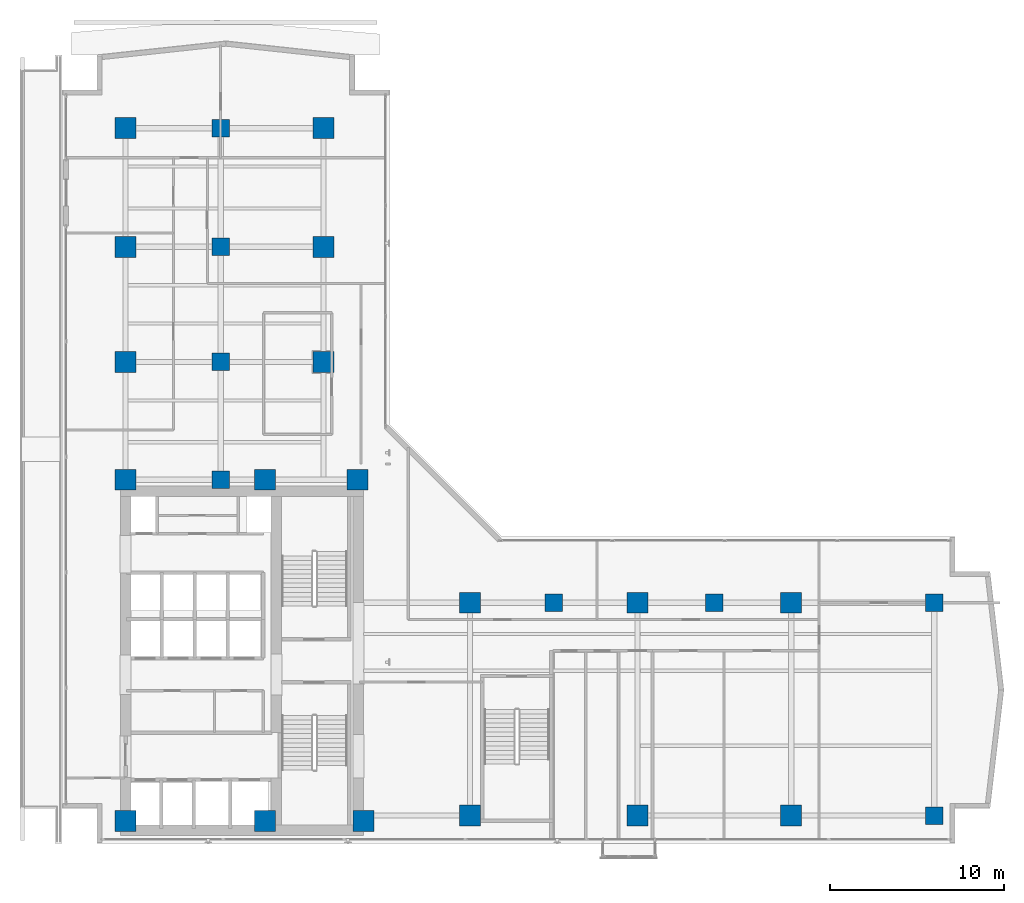
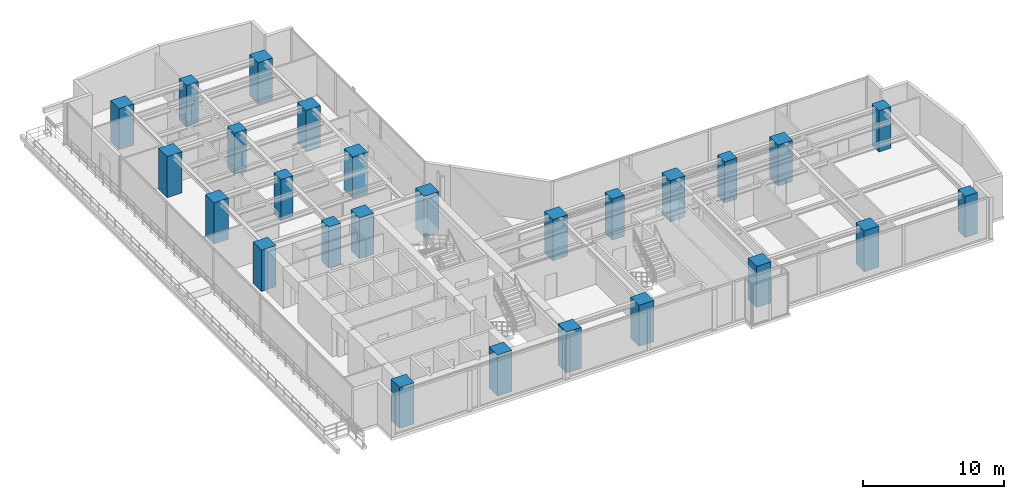
# One storey, part 1 of 28: 26 columns.
"""IFC4 building model written with IfcOpenShell, lengths in metres."""

from ifc_helpers import new_model, si_unit, direction, frame, origin, origin_2d, place, context, subcontext, project, spatial, rectangle, extrude, material, material_profile, profile_set, type_object, element, save


model = new_model("IFC4")

# Units and contexts
model_context = context("Model", 3, precision=1e-05, world=origin(), true_north=direction((0.0, 1.0)))
body_context = subcontext(model_context, "Body", "Model", "MODEL_VIEW")
ifc_project = project(units=[si_unit("LENGTHUNIT", "METRE"), si_unit("AREAUNIT", "SQUARE_METRE"), si_unit("VOLUMEUNIT", "CUBIC_METRE"), si_unit("PLANEANGLEUNIT", "RADIAN"), si_unit("MASSUNIT", "GRAM", prefix="KILO")], contexts=[model_context])

# Site, building, storey
site_placement = place(None, origin())
site = spatial("IfcSite", under=ifc_project, at=site_placement, CompositionType="ELEMENT")
building_placement = place(site_placement, origin())
building = spatial("IfcBuilding", under=site, at=building_placement, Name="Kolvaren Waterfront Exchange", CompositionType="ELEMENT")
storey_placement = place(building_placement, frame((0.0, 0.0, 146.199951171875)))
storey = spatial("IfcBuildingStorey", under=building, at=storey_placement, Name="L37", CompositionType="ELEMENT", Elevation=146.199951171875)

# Columns
ifc_material = material(Name="Concrete C60/75", Category="concrete")
ifc_material_profile_1 = material_profile(ifc_material, rectangle(XDim=1.0, YDim=1.0, at=origin_2d()), Name="RC-COL-1000x1000")
ifc_profile_set_1 = profile_set([ifc_material_profile_1], Name="Concrete C60/75")
column_type_1 = type_object("IfcColumnType", Name="STR-COL-1000-C60", PredefinedType="COLUMN", material=ifc_profile_set_1)
for number, where, z_axis, x_axis, name in (
    (1, (53.800048828125, 5.199951171875, 0.0), (0.0, 0.0, 1.0), (1.0, 0.0, 0.0), "L37 column ZC01"),
    (2, (53.800048828125, 17.39990234375, 0.0), (0.0, 0.0, 1.0), (1.0, 0.0, 0.0), "L37 column ZC02"),
    (3, (12.89990234375, 24.449951171875, 0.0), (0.0, 0.0, 1.0), (1.0, 0.0, 0.0), "L37 column TC01"),
    (4, (12.89990234375, 31.199951171875, 0.0), (0.0, 0.0, 1.0), (1.0, 0.0, 0.0), "L37 column TC02"),
    (5, (12.89990234375, 37.800048828125, 0.0), (0.0, 0.0, 1.0), (1.0, 0.0, 0.0), "L37 column TC03"),
    (6, (12.89990234375, 44.60009765625, 0.0), (0.0, 0.0, 1.0), (1.0, 0.0, 0.0), "L37 column TC04"),
    (7, (32.0, 17.39990234375, 0.0), (0.0, 0.0, 1.0), (1.0, 0.0, 0.0), "L37 column TC05"),
    (8, (41.199951171875, 17.39990234375, 0.0), (0.0, 0.0, 1.0), (1.0, 0.0, 0.0), "L37 column TC06"),
):
    element("IfcColumn", number, at=place(storey_placement, frame(where, z_axis=z_axis, x_axis=x_axis)), inside=storey, type_object=column_type_1, Name=name, PredefinedType="COLUMN", context=body_context, shape_type="SweptSolid", body=[
        extrude(rectangle(XDim=1.0, YDim=1.0, at=origin_2d()), origin(), (0.0, 0.0, 1.0), 3.56005859375),
    ])
ifc_material_profile_2 = material_profile(ifc_material, rectangle(XDim=1.199951171875, YDim=1.199951171875, at=origin_2d()), Name="RC-COL-1200x1200")
ifc_profile_set_2 = profile_set([ifc_material_profile_2], Name="Concrete C60/75")
column_type_2 = type_object("IfcColumnType", Name="STR-COL-1200-C60", PredefinedType="COLUMN", material=ifc_profile_set_2)
for number, where, z_axis, x_axis, name in (
    (9, (7.449951171875, 4.89990234375, 0.0), (0.0, 0.0, 1.0), (1.0, 0.0, 0.0), "L37 column MC01"),
    (10, (15.449951171875, 4.89990234375, 0.0), (0.0, 0.0, 1.0), (1.0, 0.0, 0.0), "L37 column MC02"),
    (11, (21.10009765625, 4.89990234375, 0.0), (0.0, 0.0, 1.0), (1.0, 0.0, 0.0), "L37 column MC03"),
    (12, (7.449951171875, 24.449951171875, 0.0), (0.0, 0.0, 1.0), (1.0, 0.0, 0.0), "L37 column MC04"),
    (13, (15.449951171875, 24.449951171875, 0.0), (0.0, 0.0, 1.0), (1.0, 0.0, 0.0), "L37 column MC05"),
    (14, (20.75, 24.449951171875, 0.0), (0.0, 0.0, 1.0), (1.0, 0.0, 0.0), "L37 column MC06"),
    (15, (7.449951171875, 31.199951171875, 0.0), (0.0, 0.0, 1.0), (1.0, 0.0, 0.0), "L37 column NC01"),
    (16, (7.449951171875, 37.800048828125, 0.0), (0.0, 0.0, 1.0), (1.0, 0.0, 0.0), "L37 column NC02"),
    (17, (7.449951171875, 44.60009765625, 0.0), (0.0, 0.0, 1.0), (1.0, 0.0, 0.0), "L37 column NC03"),
    (18, (18.800048828125, 31.199951171875, 0.0), (0.0, 0.0, 1.0), (1.0, 0.0, 0.0), "L37 column NC04"),
    (19, (18.800048828125, 37.800048828125, 0.0), (0.0, 0.0, 1.0), (1.0, 0.0, 0.0), "L37 column NC05"),
    (20, (18.800048828125, 44.60009765625, 0.0), (0.0, 0.0, 1.0), (1.0, 0.0, 0.0), "L37 column NC06"),
    (21, (27.199951171875, 5.199951171875, 0.0), (0.0, 0.0, 1.0), (1.0, 0.0, 0.0), "L37 column EC01"),
    (22, (36.800048828125, 5.199951171875, 0.0), (0.0, 0.0, 1.0), (1.0, 0.0, 0.0), "L37 column EC02"),
    (23, (45.60009765625, 5.199951171875, 0.0), (0.0, 0.0, 1.0), (1.0, 0.0, 0.0), "L37 column EC03"),
    (24, (27.199951171875, 17.39990234375, 0.0), (0.0, 0.0, 1.0), (1.0, 0.0, 0.0), "L37 column EC04"),
    (25, (36.800048828125, 17.39990234375, 0.0), (0.0, 0.0, 1.0), (1.0, 0.0, 0.0), "L37 column EC05"),
    (26, (45.60009765625, 17.39990234375, 0.0), (0.0, 0.0, 1.0), (1.0, 0.0, 0.0), "L37 column EC06"),
):
    element("IfcColumn", number, at=place(storey_placement, frame(where, z_axis=z_axis, x_axis=x_axis)), inside=storey, type_object=column_type_2, Name=name, PredefinedType="COLUMN", context=body_context, shape_type="SweptSolid", body=[
        extrude(rectangle(XDim=1.199951171875, YDim=1.199951171875, at=origin_2d()), origin(), (0.0, 0.0, 1.0), 3.56005859375),
    ])

save(model, "model.ifc")
